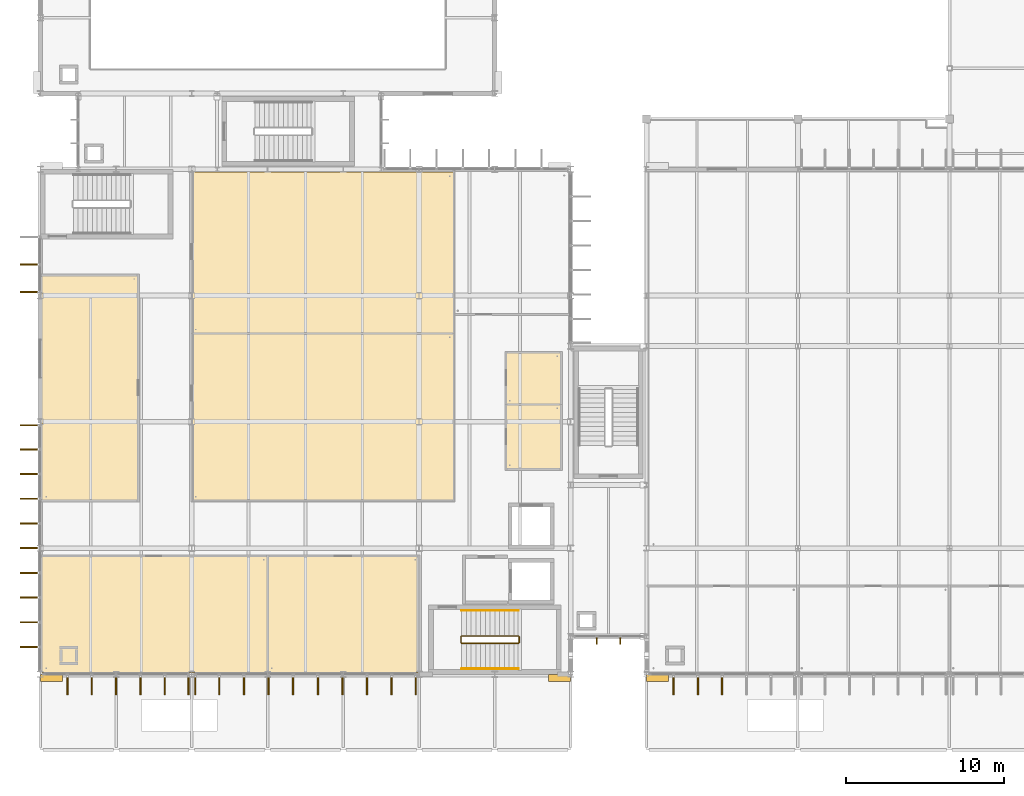
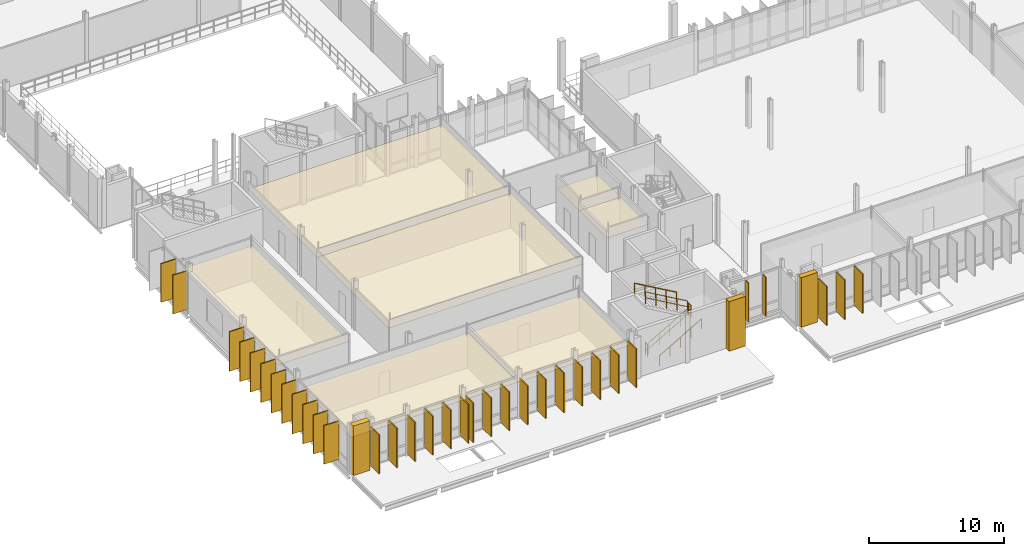
# One storey, part 98 of 107: 41 coverings, 6 railings, 2 shading devices.
"""IFC4 building model written with IfcOpenShell, lengths in metres."""

from ifc_helpers import new_model, si_unit, direction, frame, origin, origin_2d, place, context, subcontext, project, spatial, polyline, rectangle, circle, outline, extrude, material, layer, layer_set, type_object, element, save


model = new_model("IFC4")

# Units and contexts
model_context = context("Model", 3, precision=1e-05, world=origin(), true_north=direction((0.0, 1.0)))
body_context = subcontext(model_context, "Body", "Model", "MODEL_VIEW")
ifc_project = project(units=[si_unit("LENGTHUNIT", "METRE"), si_unit("AREAUNIT", "SQUARE_METRE"), si_unit("VOLUMEUNIT", "CUBIC_METRE"), si_unit("PLANEANGLEUNIT", "RADIAN"), si_unit("MASSUNIT", "GRAM", prefix="KILO")], contexts=[model_context])

# Site, building, storey
site_placement = place(None, origin())
site = spatial("IfcSite", under=ifc_project, at=site_placement, CompositionType="ELEMENT")
building_placement = place(site_placement, origin())
building = spatial("IfcBuilding", under=site, at=building_placement, Name="Dunescarp Central Library", CompositionType="ELEMENT")
storey_placement = place(building_placement, frame((0.0, 0.0, 5.10009765625)))
storey = spatial("IfcBuildingStorey", under=building, at=storey_placement, Name="L01", CompositionType="ELEMENT", Elevation=5.10009765625)

# Coverings
ifc_material_1 = material(Name="Perforated birch acoustic timber baffle", Category="wood")
ifc_layer_1 = layer(ifc_material_1, 0.050048828125)
ifc_layer_set_1 = layer_set([ifc_layer_1], Name="Perforated birch acoustic timber baffle")
covering_type_1 = type_object("IfcCoveringType", Name="ARC-COV-BAFFLE", PredefinedType="CEILING", material=ifc_layer_set_1)
covering_1_placement = place(storey_placement, frame((0.0, 0.0, 3.0498046875)))
element("IfcCovering", 1, at=covering_1_placement, inside=storey, type_object=covering_type_1, Name="L01 ceiling General Lending Reading Salon", PredefinedType="CEILING", context=body_context, shape_type="SweptSolid", body=[
    extrude(outline(polyline([(0.1201171875, 4.919921875), (14.419921875, 4.919921875), (14.419921875, 12.320068359375), (0.1201171875, 12.320068359375), (0.1201171875, 4.919921875)])), origin(), (0.0, 0.0, 1.0), 0.050048828125),
])
ifc_material_2 = material(Name="Mineral-fibre acoustic ceiling tile")
ifc_layer_2 = layer(ifc_material_2, 0.0400390625)
ifc_layer_set_2 = layer_set([ifc_layer_2], Name="Mineral-fibre acoustic ceiling tile")
covering_type_2 = type_object("IfcCoveringType", Name="ARC-COV-CEIL40", PredefinedType="CEILING", material=ifc_layer_set_2)
covering_2_placement = place(storey_placement, frame((0.0, 0.0, 3.0498046875)))
element("IfcCovering", 2, at=covering_2_placement, inside=storey, type_object=covering_type_2, Name="L01 ceiling Public Toilets", PredefinedType="CEILING", context=body_context, shape_type="SweptSolid", body=[
    extrude(outline(polyline([(29.47998046875, 17.780029296875), (33.02001953125, 17.780029296875), (33.02001953125, 21.919921875), (29.47998046875, 21.919921875), (29.47998046875, 17.780029296875)])), origin(), (0.0, 0.0, 1.0), 0.0400390625),
])
covering_3_placement = place(storey_placement, frame((0.0, 0.0, 3.0498046875)))
element("IfcCovering", 3, at=covering_3_placement, inside=storey, type_object=covering_type_2, Name="L01 ceiling Accessible Toilet", PredefinedType="CEILING", context=body_context, shape_type="SweptSolid", body=[
    extrude(outline(polyline([(29.47998046875, 21.8798828125), (33.02001953125, 21.8798828125), (33.02001953125, 25.219970703125), (29.47998046875, 25.219970703125), (29.47998046875, 21.8798828125)])), origin(), (0.0, 0.0, 1.0), 0.0400390625),
])
covering_4_placement = place(storey_placement, frame((0.0, 0.0, 3.0498046875)))
element("IfcCovering", 4, at=covering_4_placement, inside=storey, type_object=covering_type_2, Name="L01 ceiling Bibliographic Consultation Room", PredefinedType="CEILING", context=body_context, shape_type="SweptSolid", body=[
    extrude(outline(polyline([(14.3798828125, 4.919921875), (24.02001953125, 4.919921875), (24.02001953125, 12.320068359375), (14.3798828125, 12.320068359375), (14.3798828125, 4.919921875)])), origin(), (0.0, 0.0, 1.0), 0.0400390625),
])
covering_5_placement = place(storey_placement, frame((0.0, 0.0, 3.0498046875)))
element("IfcCovering", 5, at=covering_5_placement, inside=storey, type_object=covering_type_2, Name="L01 ceiling Fiction & Literature Open Stacks", PredefinedType="CEILING", context=body_context, shape_type="SweptSolid", body=[
    extrude(outline(polyline([(0.1201171875, 15.780029296875), (6.219970703125, 15.780029296875), (6.219970703125, 30.1201171875), (0.1201171875, 30.1201171875), (0.1201171875, 15.780029296875)])), origin(), (0.0, 0.0, 1.0), 0.0400390625),
])
covering_6_placement = place(storey_placement, frame((0.0, 0.0, 3.0498046875)))
element("IfcCovering", 6, at=covering_6_placement, inside=storey, type_object=covering_type_2, Name="L01 ceiling Collaborative Group Study Seminar 1A", PredefinedType="CEILING", context=body_context, shape_type="SweptSolid", body=[
    extrude(outline(polyline([(9.580078125, 15.780029296875), (26.219970703125, 15.780029296875), (26.219970703125, 26.419921875), (9.580078125, 26.419921875), (9.580078125, 15.780029296875)])), origin(), (0.0, 0.0, 1.0), 0.0400390625),
])
covering_7_placement = place(storey_placement, frame((0.0, 0.0, 3.0498046875)))
element("IfcCovering", 7, at=covering_7_placement, inside=storey, type_object=covering_type_2, Name="L01 ceiling Collaborative Group Study Seminar 1B", PredefinedType="CEILING", context=body_context, shape_type="SweptSolid", body=[
    extrude(outline(polyline([(9.580078125, 26.3798828125), (26.219970703125, 26.3798828125), (26.219970703125, 36.6201171875), (9.580078125, 36.6201171875), (9.580078125, 26.3798828125)])), origin(), (0.0, 0.0, 1.0), 0.0400390625),
])
ifc_material_3 = material(Name="Glass-fibre reinforced concrete GRC", Category="concrete")
ifc_layer_3 = layer(ifc_material_3, 0.090087890625)
ifc_layer_set_3 = layer_set([ifc_layer_3], Name="Glass-fibre reinforced concrete GRC")
covering_type_3 = type_object("IfcCoveringType", Name="ARC-COV-FIN1250", PredefinedType="CLADDING", material=ifc_layer_set_3)
covering_8_placement = place(storey_placement, frame((9.385009765625, 4.137939453125, 0.166748046875), z_axis=(0.0, 0.0, 1.0), x_axis=(0.0, -1.0, 0.0)))
element("IfcCovering", 8, at=covering_8_placement, inside=storey, type_object=covering_type_3, Name="L01 parametric vertical facade fin FIN-L01-0034", PredefinedType="CLADDING", context=body_context, shape_type="SweptSolid", body=[
    extrude(rectangle(XDim=1.25, YDim=0.090087890625, at=origin_2d()), origin(), (0.0, 0.0, 1.0), 3.51806640625),
])
covering_9_placement = place(storey_placement, frame((7.883056640625, 4.137939453125, 0.180419921875), z_axis=(0.0, 0.0, 1.0), x_axis=(0.0, -1.0, 0.0)))
element("IfcCovering", 9, at=covering_9_placement, inside=storey, type_object=covering_type_3, Name="L01 parametric vertical facade fin FIN-L01-0035", PredefinedType="CLADDING", context=body_context, shape_type="SweptSolid", body=[
    extrude(rectangle(XDim=1.25, YDim=0.090087890625, at=origin_2d()), origin(), (0.0, 0.0, 1.0), 3.5048828125),
])
covering_10_placement = place(storey_placement, frame((6.342041015625, 4.137939453125, 0.163330078125), z_axis=(0.0, 0.0, 1.0), x_axis=(0.0, -1.0, 0.0)))
element("IfcCovering", 10, at=covering_10_placement, inside=storey, type_object=covering_type_3, Name="L01 parametric vertical facade fin FIN-L01-0036", PredefinedType="CLADDING", context=body_context, shape_type="SweptSolid", body=[
    extrude(rectangle(XDim=1.25, YDim=0.090087890625, at=origin_2d()), origin(), (0.0, 0.0, 1.0), 3.52099609375),
])
covering_11_placement = place(storey_placement, frame((4.800048828125, 4.137939453125, 0.122802734375), z_axis=(0.0, 0.0, 1.0), x_axis=(0.0, -1.0, 0.0)))
element("IfcCovering", 11, at=covering_11_placement, inside=storey, type_object=covering_type_3, Name="L01 parametric vertical facade fin FIN-L01-0037", PredefinedType="CLADDING", context=body_context, shape_type="SweptSolid", body=[
    extrude(rectangle(XDim=1.25, YDim=0.090087890625, at=origin_2d()), origin(), (0.0, 0.0, 1.0), 3.56201171875),
])
covering_12_placement = place(storey_placement, frame((3.258056640625, 4.137939453125, 0.080078125), z_axis=(0.0, 0.0, 1.0), x_axis=(0.0, -1.0, 0.0)))
element("IfcCovering", 12, at=covering_12_placement, inside=storey, type_object=covering_type_3, Name="L01 parametric vertical facade fin FIN-L01-0038", PredefinedType="CLADDING", context=body_context, shape_type="SweptSolid", body=[
    extrude(rectangle(XDim=1.25, YDim=0.090087890625, at=origin_2d()), origin(), (0.0, 0.0, 1.0), 3.593994140625),
])
covering_13_placement = place(storey_placement, frame((1.717041015625, 4.137939453125, 0.079833984375), z_axis=(0.0, 0.0, 1.0), x_axis=(0.0, -1.0, 0.0)))
element("IfcCovering", 13, at=covering_13_placement, inside=storey, type_object=covering_type_3, Name="L01 parametric vertical facade fin FIN-L01-0039", PredefinedType="CLADDING", context=body_context, shape_type="SweptSolid", body=[
    extrude(rectangle(XDim=1.25, YDim=0.090087890625, at=origin_2d()), origin(), (0.0, 0.0, 1.0), 3.5439453125),
])
covering_14_placement = place(storey_placement, frame((23.784912109375, 4.137939453125, 0.166748046875), z_axis=(0.0, 0.0, 1.0), x_axis=(0.0, -1.0, 0.0)))
element("IfcCovering", 14, at=covering_14_placement, inside=storey, type_object=covering_type_3, Name="L01 parametric vertical facade fin FIN-L01-0040", PredefinedType="CLADDING", context=body_context, shape_type="SweptSolid", body=[
    extrude(rectangle(XDim=1.25, YDim=0.090087890625, at=origin_2d()), origin(), (0.0, 0.0, 1.0), 3.51806640625),
])
covering_15_placement = place(storey_placement, frame((22.263916015625, 4.137939453125, 0.180419921875), z_axis=(0.0, 0.0, 1.0), x_axis=(0.0, -1.0, 0.0)))
element("IfcCovering", 15, at=covering_15_placement, inside=storey, type_object=covering_type_3, Name="L01 parametric vertical facade fin FIN-L01-0041", PredefinedType="CLADDING", context=body_context, shape_type="SweptSolid", body=[
    extrude(rectangle(XDim=1.25, YDim=0.090087890625, at=origin_2d()), origin(), (0.0, 0.0, 1.0), 3.5048828125),
])
covering_16_placement = place(storey_placement, frame((20.702880859375, 4.137939453125, 0.163330078125), z_axis=(0.0, 0.0, 1.0), x_axis=(0.0, -1.0, 0.0)))
element("IfcCovering", 16, at=covering_16_placement, inside=storey, type_object=covering_type_3, Name="L01 parametric vertical facade fin FIN-L01-0042", PredefinedType="CLADDING", context=body_context, shape_type="SweptSolid", body=[
    extrude(rectangle(XDim=1.25, YDim=0.090087890625, at=origin_2d()), origin(), (0.0, 0.0, 1.0), 3.52099609375),
])
covering_17_placement = place(storey_placement, frame((19.14208984375, 4.137939453125, 0.122802734375), z_axis=(0.0, 0.0, 1.0), x_axis=(0.0, -1.0, 0.0)))
element("IfcCovering", 17, at=covering_17_placement, inside=storey, type_object=covering_type_3, Name="L01 parametric vertical facade fin FIN-L01-0043", PredefinedType="CLADDING", context=body_context, shape_type="SweptSolid", body=[
    extrude(rectangle(XDim=1.25, YDim=0.090087890625, at=origin_2d()), origin(), (0.0, 0.0, 1.0), 3.56201171875),
])
covering_18_placement = place(storey_placement, frame((17.5810546875, 4.137939453125, 0.080078125), z_axis=(0.0, 0.0, 1.0), x_axis=(0.0, -1.0, 0.0)))
element("IfcCovering", 18, at=covering_18_placement, inside=storey, type_object=covering_type_3, Name="L01 parametric vertical facade fin FIN-L01-0044", PredefinedType="CLADDING", context=body_context, shape_type="SweptSolid", body=[
    extrude(rectangle(XDim=1.25, YDim=0.090087890625, at=origin_2d()), origin(), (0.0, 0.0, 1.0), 3.593994140625),
])
covering_19_placement = place(storey_placement, frame((16.01904296875, 4.137939453125, 0.079833984375), z_axis=(0.0, 0.0, 1.0), x_axis=(0.0, -1.0, 0.0)))
element("IfcCovering", 19, at=covering_19_placement, inside=storey, type_object=covering_type_3, Name="L01 parametric vertical facade fin FIN-L01-0045", PredefinedType="CLADDING", context=body_context, shape_type="SweptSolid", body=[
    extrude(rectangle(XDim=1.25, YDim=0.090087890625, at=origin_2d()), origin(), (0.0, 0.0, 1.0), 3.5439453125),
])
covering_20_placement = place(storey_placement, frame((14.4580078125, 4.137939453125, 0.08056640625), z_axis=(0.0, 0.0, 1.0), x_axis=(0.0, -1.0, 0.0)))
element("IfcCovering", 20, at=covering_20_placement, inside=storey, type_object=covering_type_3, Name="L01 parametric vertical facade fin FIN-L01-0046", PredefinedType="CLADDING", context=body_context, shape_type="SweptSolid", body=[
    extrude(rectangle(XDim=1.25, YDim=0.090087890625, at=origin_2d()), origin(), (0.0, 0.0, 1.0), 3.510986328125),
])
covering_21_placement = place(storey_placement, frame((12.89697265625, 4.137939453125, 0.07958984375), z_axis=(0.0, 0.0, 1.0), x_axis=(0.0, -1.0, 0.0)))
element("IfcCovering", 21, at=covering_21_placement, inside=storey, type_object=covering_type_3, Name="L01 parametric vertical facade fin FIN-L01-0047", PredefinedType="CLADDING", context=body_context, shape_type="SweptSolid", body=[
    extrude(rectangle(XDim=1.25, YDim=0.090087890625, at=origin_2d()), origin(), (0.0, 0.0, 1.0), 3.507080078125),
])
covering_22_placement = place(storey_placement, frame((11.3359375, 4.137939453125, 0.08056640625), z_axis=(0.0, 0.0, 1.0), x_axis=(0.0, -1.0, 0.0)))
element("IfcCovering", 22, at=covering_22_placement, inside=storey, type_object=covering_type_3, Name="L01 parametric vertical facade fin FIN-L01-0048", PredefinedType="CLADDING", context=body_context, shape_type="SweptSolid", body=[
    extrude(rectangle(XDim=1.25, YDim=0.090087890625, at=origin_2d()), origin(), (0.0, 0.0, 1.0), 3.531005859375),
])
covering_23_placement = place(storey_placement, frame((9.81494140625, 4.137939453125, 0.07958984375), z_axis=(0.0, 0.0, 1.0), x_axis=(0.0, -1.0, 0.0)))
element("IfcCovering", 23, at=covering_23_placement, inside=storey, type_object=covering_type_3, Name="L01 parametric vertical facade fin FIN-L01-0049", PredefinedType="CLADDING", context=body_context, shape_type="SweptSolid", body=[
    extrude(rectangle(XDim=1.25, YDim=0.090087890625, at=origin_2d()), origin(), (0.0, 0.0, 1.0), 3.576904296875),
])
covering_24_placement = place(storey_placement, frame((-0.662109375, 6.5400390625, 0.180419921875), z_axis=(0.0, 0.0, 1.0), x_axis=(-1.0, 0.0, 0.0)))
element("IfcCovering", 24, at=covering_24_placement, inside=storey, type_object=covering_type_3, Name="L01 parametric vertical facade fin FIN-L01-0057", PredefinedType="CLADDING", context=body_context, shape_type="SweptSolid", body=[
    extrude(rectangle(XDim=1.25, YDim=0.090087890625, at=origin_2d()), origin(), (0.0, 0.0, 1.0), 3.5048828125),
])
covering_25_placement = place(storey_placement, frame((-0.662109375, 8.10498046875, 0.163330078125), z_axis=(0.0, 0.0, 1.0), x_axis=(-1.0, 0.0, 0.0)))
element("IfcCovering", 25, at=covering_25_placement, inside=storey, type_object=covering_type_3, Name="L01 parametric vertical facade fin FIN-L01-0058", PredefinedType="CLADDING", context=body_context, shape_type="SweptSolid", body=[
    extrude(rectangle(XDim=1.25, YDim=0.090087890625, at=origin_2d()), origin(), (0.0, 0.0, 1.0), 3.52099609375),
])
covering_26_placement = place(storey_placement, frame((-0.662109375, 9.669921875, 0.122802734375), z_axis=(0.0, 0.0, 1.0), x_axis=(-1.0, 0.0, 0.0)))
element("IfcCovering", 26, at=covering_26_placement, inside=storey, type_object=covering_type_3, Name="L01 parametric vertical facade fin FIN-L01-0059", PredefinedType="CLADDING", context=body_context, shape_type="SweptSolid", body=[
    extrude(rectangle(XDim=1.25, YDim=0.090087890625, at=origin_2d()), origin(), (0.0, 0.0, 1.0), 3.56201171875),
])
covering_27_placement = place(storey_placement, frame((-0.662109375, 11.235107421875, 0.080078125), z_axis=(0.0, 0.0, 1.0), x_axis=(-1.0, 0.0, 0.0)))
element("IfcCovering", 27, at=covering_27_placement, inside=storey, type_object=covering_type_3, Name="L01 parametric vertical facade fin FIN-L01-0060", PredefinedType="CLADDING", context=body_context, shape_type="SweptSolid", body=[
    extrude(rectangle(XDim=1.25, YDim=0.090087890625, at=origin_2d()), origin(), (0.0, 0.0, 1.0), 3.593994140625),
])
covering_28_placement = place(storey_placement, frame((-0.662109375, 12.800048828125, 0.079833984375), z_axis=(0.0, 0.0, 1.0), x_axis=(-1.0, 0.0, 0.0)))
element("IfcCovering", 28, at=covering_28_placement, inside=storey, type_object=covering_type_3, Name="L01 parametric vertical facade fin FIN-L01-0061", PredefinedType="CLADDING", context=body_context, shape_type="SweptSolid", body=[
    extrude(rectangle(XDim=1.25, YDim=0.090087890625, at=origin_2d()), origin(), (0.0, 0.0, 1.0), 3.5439453125),
])
covering_29_placement = place(storey_placement, frame((-0.662109375, 14.364990234375, 0.08056640625), z_axis=(0.0, 0.0, 1.0), x_axis=(-1.0, 0.0, 0.0)))
element("IfcCovering", 29, at=covering_29_placement, inside=storey, type_object=covering_type_3, Name="L01 parametric vertical facade fin FIN-L01-0062", PredefinedType="CLADDING", context=body_context, shape_type="SweptSolid", body=[
    extrude(rectangle(XDim=1.25, YDim=0.090087890625, at=origin_2d()), origin(), (0.0, 0.0, 1.0), 3.510986328125),
])
covering_30_placement = place(storey_placement, frame((-0.662109375, 15.929931640625, 0.07958984375), z_axis=(0.0, 0.0, 1.0), x_axis=(-1.0, 0.0, 0.0)))
element("IfcCovering", 30, at=covering_30_placement, inside=storey, type_object=covering_type_3, Name="L01 parametric vertical facade fin FIN-L01-0063", PredefinedType="CLADDING", context=body_context, shape_type="SweptSolid", body=[
    extrude(rectangle(XDim=1.25, YDim=0.090087890625, at=origin_2d()), origin(), (0.0, 0.0, 1.0), 3.507080078125),
])
covering_31_placement = place(storey_placement, frame((-0.662109375, 17.4951171875, 0.08056640625), z_axis=(0.0, 0.0, 1.0), x_axis=(-1.0, 0.0, 0.0)))
element("IfcCovering", 31, at=covering_31_placement, inside=storey, type_object=covering_type_3, Name="L01 parametric vertical facade fin FIN-L01-0064", PredefinedType="CLADDING", context=body_context, shape_type="SweptSolid", body=[
    extrude(rectangle(XDim=1.25, YDim=0.090087890625, at=origin_2d()), origin(), (0.0, 0.0, 1.0), 3.531005859375),
])
covering_32_placement = place(storey_placement, frame((-0.662109375, 19.06005859375, 0.07958984375), z_axis=(0.0, 0.0, 1.0), x_axis=(-1.0, 0.0, 0.0)))
element("IfcCovering", 32, at=covering_32_placement, inside=storey, type_object=covering_type_3, Name="L01 parametric vertical facade fin FIN-L01-0065", PredefinedType="CLADDING", context=body_context, shape_type="SweptSolid", body=[
    extrude(rectangle(XDim=1.25, YDim=0.090087890625, at=origin_2d()), origin(), (0.0, 0.0, 1.0), 3.576904296875),
])
covering_33_placement = place(storey_placement, frame((-0.662109375, 20.5849609375, 0.10546875), z_axis=(0.0, 0.0, 1.0), x_axis=(-1.0, 0.0, 0.0)))
element("IfcCovering", 33, at=covering_33_placement, inside=storey, type_object=covering_type_3, Name="L01 parametric vertical facade fin FIN-L01-0066", PredefinedType="CLADDING", context=body_context, shape_type="SweptSolid", body=[
    extrude(rectangle(XDim=1.25, YDim=0.090087890625, at=origin_2d()), origin(), (0.0, 0.0, 1.0), 3.5791015625),
])
covering_34_placement = place(storey_placement, frame((-0.662109375, 29.014892578125, 0.166748046875), z_axis=(0.0, 0.0, 1.0), x_axis=(-1.0, 0.0, 0.0)))
element("IfcCovering", 34, at=covering_34_placement, inside=storey, type_object=covering_type_3, Name="L01 parametric vertical facade fin FIN-L01-0067", PredefinedType="CLADDING", context=body_context, shape_type="SweptSolid", body=[
    extrude(rectangle(XDim=1.25, YDim=0.090087890625, at=origin_2d()), origin(), (0.0, 0.0, 1.0), 3.51806640625),
])
covering_35_placement = place(storey_placement, frame((-0.662109375, 30.761962890625, 0.180419921875), z_axis=(0.0, 0.0, 1.0), x_axis=(-1.0, 0.0, 0.0)))
element("IfcCovering", 35, at=covering_35_placement, inside=storey, type_object=covering_type_3, Name="L01 parametric vertical facade fin FIN-L01-0068", PredefinedType="CLADDING", context=body_context, shape_type="SweptSolid", body=[
    extrude(rectangle(XDim=1.25, YDim=0.090087890625, at=origin_2d()), origin(), (0.0, 0.0, 1.0), 3.5048828125),
])
covering_36_placement = place(storey_placement, frame((43.199951171875, 4.137939453125, 0.122802734375), z_axis=(0.0, 0.0, 1.0), x_axis=(0.0, -1.0, 0.0)))
element("IfcCovering", 36, at=covering_36_placement, inside=storey, type_object=covering_type_3, Name="L01 parametric vertical facade fin FIN-L01-0341", PredefinedType="CLADDING", context=body_context, shape_type="SweptSolid", body=[
    extrude(rectangle(XDim=1.25, YDim=0.090087890625, at=origin_2d()), origin(), (0.0, 0.0, 1.0), 3.56201171875),
])
covering_37_placement = place(storey_placement, frame((41.657958984375, 4.137939453125, 0.080078125), z_axis=(0.0, 0.0, 1.0), x_axis=(0.0, -1.0, 0.0)))
element("IfcCovering", 37, at=covering_37_placement, inside=storey, type_object=covering_type_3, Name="L01 parametric vertical facade fin FIN-L01-0342", PredefinedType="CLADDING", context=body_context, shape_type="SweptSolid", body=[
    extrude(rectangle(XDim=1.25, YDim=0.090087890625, at=origin_2d()), origin(), (0.0, 0.0, 1.0), 3.593994140625),
])
covering_38_placement = place(storey_placement, frame((40.116943359375, 4.137939453125, 0.079833984375), z_axis=(0.0, 0.0, 1.0), x_axis=(0.0, -1.0, 0.0)))
element("IfcCovering", 38, at=covering_38_placement, inside=storey, type_object=covering_type_3, Name="L01 parametric vertical facade fin FIN-L01-0343", PredefinedType="CLADDING", context=body_context, shape_type="SweptSolid", body=[
    extrude(rectangle(XDim=1.25, YDim=0.090087890625, at=origin_2d()), origin(), (0.0, 0.0, 1.0), 3.5439453125),
])
ifc_layer_4 = layer(ifc_material_3, 0.449951171875)
ifc_layer_set_4 = layer_set([ifc_layer_4], Name="Glass-fibre reinforced concrete GRC")
covering_type_4 = type_object("IfcCoveringType", Name="ARC-COV-PORTAL", PredefinedType="CLADDING", material=ifc_layer_set_4)
for number, where, z_axis, x_axis, name in (
    (39, (39.10009765625, 4.580078125, 0.0), (0.0, 0.0, 1.0), (1.0, 0.0, 0.0), "V2 sculpted GRC portal pier PRT-BAND-V2-005"),
    (40, (0.699951171875, 4.580078125, 0.0), (0.0, 0.0, 1.0), (1.0, 0.0, 0.0), "V1 sculpted GRC portal pier PRT-BAND-V1-085"),
    (41, (32.89990234375, 4.580078125, 0.0), (0.0, 0.0, 1.0), (1.0, 0.0, 0.0), "V1 sculpted GRC portal pier PRT-BAND-V1-087"),
):
    element("IfcCovering", number, at=place(storey_placement, frame(where, z_axis=z_axis, x_axis=x_axis)), inside=storey, type_object=covering_type_4, Name=name, PredefinedType="CLADDING", context=body_context, shape_type="SweptSolid", body=[
        extrude(rectangle(XDim=1.39990234375, YDim=0.449951171875, at=origin_2d()), origin(), (0.0, 0.0, 1.0), 4.5),
    ])

# Railings
ifc_material_4 = material(Name="Stainless steel Grade 316L", Category="steel")
railing_type_1 = type_object("IfcRailingType", Name="ARC-RL-GUARD", PredefinedType="GUARDRAIL", material=ifc_material_4)
railing_1_placement = place(storey_placement, frame((26.699951171875, 6.77001953125, 0.173095703125)))
element("IfcRailing", 42, at=railing_1_placement, inside=storey, type_object=railing_type_1, Name="L01 ST-1 stair guard 1", PredefinedType="GUARDRAIL", context=body_context, shape_type="SweptSolid", body=[
    extrude(circle(Radius=0.02392578125, at=origin_2d()), frame((0.0, 0.0, 1.076171875), z_axis=(0.866193409371, 0.0, 0.499708892819), x_axis=(0.0, 1.0, 0.0)), (0.0, 0.0, 1.0), 4.15625),
    extrude(circle(Radius=0.02392578125, at=origin_2d()), frame((0.0, 0.0, 0.550048828125), z_axis=(0.866193409371, 0.0, 0.499708892819), x_axis=(0.0, 1.0, 0.0)), (0.0, 0.0, 1.0), 4.15625),
    extrude(circle(Radius=0.02099609375, at=origin_2d()), origin(), (0.0, 0.0, 1.0), 1.052001953125),
    extrude(circle(Radius=0.02099609375, at=origin_2d()), frame((0.89990234375, 0.0, 0.519287109375)), (0.0, 0.0, 1.0), 1.052001953125),
    extrude(circle(Radius=0.02099609375, at=origin_2d()), frame((1.800048828125, 0.0, 1.03857421875)), (0.0, 0.0, 1.0), 1.052001953125),
    extrude(circle(Radius=0.02099609375, at=origin_2d()), frame((2.7001953125, 0.0, 1.5576171875)), (0.0, 0.0, 1.0), 1.052001953125),
    extrude(circle(Radius=0.02099609375, at=origin_2d()), frame((3.60009765625, 0.0, 2.076904296875)), (0.0, 0.0, 1.0), 1.052001953125),
])
railing_2_placement = place(storey_placement, frame((30.35009765625, 6.820068359375, 2.25)))
element("IfcRailing", 43, at=railing_2_placement, inside=storey, type_object=railing_type_1, Name="L01 ST-1 stair guard 2", PredefinedType="GUARDRAIL", context=body_context, shape_type="SweptSolid", body=[
    extrude(circle(Radius=0.02392578125, at=origin_2d()), frame((0.0, 0.0, 1.076171875), z_axis=(0.0, 1.0, 0.0), x_axis=(-1.0, 0.0, 0.0)), (0.0, 0.0, 1.0), 0.35986328125),
    extrude(circle(Radius=0.02392578125, at=origin_2d()), frame((0.0, 0.0, 0.550048828125), z_axis=(0.0, 1.0, 0.0), x_axis=(-1.0, 0.0, 0.0)), (0.0, 0.0, 1.0), 0.35986328125),
    extrude(circle(Radius=0.02099609375, at=origin_2d()), origin(), (0.0, 0.0, 1.0), 1.052001953125),
    extrude(circle(Radius=0.02099609375, at=origin_2d()), frame((0.0, 0.35986328125, 0.0)), (0.0, 0.0, 1.0), 1.052001953125),
])
railing_3_placement = place(storey_placement, frame((30.300048828125, 7.22998046875, 2.423095703125)))
element("IfcRailing", 44, at=railing_3_placement, inside=storey, type_object=railing_type_1, Name="L01 ST-1 stair guard 3", PredefinedType="GUARDRAIL", context=body_context, shape_type="SweptSolid", body=[
    extrude(circle(Radius=0.02392578125, at=origin_2d()), frame((0.0, 0.0, 1.076171875), z_axis=(-0.866193409371, 0.0, 0.499708892819), x_axis=(0.0, -1.0, 0.0)), (0.0, 0.0, 1.0), 4.15625),
    extrude(circle(Radius=0.02392578125, at=origin_2d()), frame((0.0, 0.0, 0.550048828125), z_axis=(-0.866193409371, 0.0, 0.499708892819), x_axis=(0.0, -1.0, 0.0)), (0.0, 0.0, 1.0), 4.15625),
    extrude(circle(Radius=0.02099609375, at=origin_2d()), origin(), (0.0, 0.0, 1.0), 1.052001953125),
    extrude(circle(Radius=0.02099609375, at=origin_2d()), frame((-0.89990234375, 0.0, 0.519287109375)), (0.0, 0.0, 1.0), 1.052001953125),
    extrude(circle(Radius=0.02099609375, at=origin_2d()), frame((-1.800048828125, 0.0, 1.03857421875)), (0.0, 0.0, 1.0), 1.052001953125),
    extrude(circle(Radius=0.02099609375, at=origin_2d()), frame((-2.7001953125, 0.0, 1.5576171875)), (0.0, 0.0, 1.0), 1.052001953125),
    extrude(circle(Radius=0.02099609375, at=origin_2d()), frame((-3.60009765625, 0.0, 2.076904296875)), (0.0, 0.0, 1.0), 1.052001953125),
])
railing_4_placement = place(storey_placement, frame((26.64990234375, 6.820068359375, 0.0)))
element("IfcRailing", 45, at=railing_4_placement, inside=storey, type_object=railing_type_1, Name="L01 ST-1 stair guard 4", PredefinedType="GUARDRAIL", context=body_context, shape_type="SweptSolid", body=[
    extrude(circle(Radius=0.02392578125, at=origin_2d()), frame((0.0, 0.0, 1.076171875), z_axis=(0.0, 1.0, 0.0), x_axis=(-1.0, 0.0, 0.0)), (0.0, 0.0, 1.0), 0.35986328125),
    extrude(circle(Radius=0.02392578125, at=origin_2d()), frame((0.0, 0.0, 0.550048828125), z_axis=(0.0, 1.0, 0.0), x_axis=(-1.0, 0.0, 0.0)), (0.0, 0.0, 1.0), 0.35986328125),
    extrude(circle(Radius=0.02099609375, at=origin_2d()), origin(), (0.0, 0.0, 1.0), 1.052001953125),
    extrude(circle(Radius=0.02099609375, at=origin_2d()), frame((0.0, 0.35986328125, 0.0)), (0.0, 0.0, 1.0), 1.052001953125),
])
railing_type_2 = type_object("IfcRailingType", Name="ARC-RL-HAND", PredefinedType="HANDRAIL", material=ifc_material_4)
railing_5_placement = place(storey_placement, frame((26.699951171875, 5.14990234375, 0.173095703125)))
element("IfcRailing", 46, at=railing_5_placement, inside=storey, type_object=railing_type_2, Name="L01 ST-1 stair handrail 1", PredefinedType="HANDRAIL", context=body_context, shape_type="SweptSolid", body=[
    extrude(circle(Radius=0.02392578125, at=origin_2d()), frame((0.0, 0.0, 0.8857421875), z_axis=(0.866193409371, 0.0, 0.499708892819), x_axis=(0.0, 1.0, 0.0)), (0.0, 0.0, 1.0), 4.15625),
    extrude(circle(Radius=0.02099609375, at=origin_2d()), origin(), (0.0, 0.0, 1.0), 0.86181640625),
    extrude(circle(Radius=0.02099609375, at=origin_2d()), frame((0.89990234375, 0.0, 0.519287109375)), (0.0, 0.0, 1.0), 0.86181640625),
    extrude(circle(Radius=0.02099609375, at=origin_2d()), frame((1.800048828125, 0.0, 1.03857421875)), (0.0, 0.0, 1.0), 0.86181640625),
    extrude(circle(Radius=0.02099609375, at=origin_2d()), frame((2.7001953125, 0.0, 1.5576171875)), (0.0, 0.0, 1.0), 0.86181640625),
    extrude(circle(Radius=0.02099609375, at=origin_2d()), frame((3.60009765625, 0.0, 2.076904296875)), (0.0, 0.0, 1.0), 0.86181640625),
])
railing_6_placement = place(storey_placement, frame((30.300048828125, 8.85009765625, 2.423095703125)))
element("IfcRailing", 47, at=railing_6_placement, inside=storey, type_object=railing_type_2, Name="L01 ST-1 stair handrail 2", PredefinedType="HANDRAIL", context=body_context, shape_type="SweptSolid", body=[
    extrude(circle(Radius=0.02392578125, at=origin_2d()), frame((0.0, 0.0, 0.8857421875), z_axis=(-0.866193409371, 0.0, 0.499708892819), x_axis=(0.0, -1.0, 0.0)), (0.0, 0.0, 1.0), 4.15625),
    extrude(circle(Radius=0.02099609375, at=origin_2d()), origin(), (0.0, 0.0, 1.0), 0.86181640625),
    extrude(circle(Radius=0.02099609375, at=origin_2d()), frame((-0.89990234375, 0.0, 0.519287109375)), (0.0, 0.0, 1.0), 0.86181640625),
    extrude(circle(Radius=0.02099609375, at=origin_2d()), frame((-1.800048828125, 0.0, 1.03857421875)), (0.0, 0.0, 1.0), 0.86181640625),
    extrude(circle(Radius=0.02099609375, at=origin_2d()), frame((-2.7001953125, 0.0, 1.5576171875)), (0.0, 0.0, 1.0), 0.86181640625),
    extrude(circle(Radius=0.02099609375, at=origin_2d()), frame((-3.60009765625, 0.0, 2.076904296875)), (0.0, 0.0, 1.0), 0.86181640625),
])

# Shading devices
ifc_material_5 = material(Name="Marine-grade anodised aluminium 6063-T6", Category="aluminium")
ifc_layer_5 = layer(ifc_material_5, 0.06005859375)
ifc_layer_set_5 = layer_set([ifc_layer_5], Name="Marine-grade anodised aluminium 6063-T6")
shading_device_type = type_object("IfcShadingDeviceType", Name="ARC-SHD-FIN", PredefinedType="USERDEFINED", material=ifc_layer_set_5)
for number, where, z_axis, x_axis, name in (
    (48, (36.741943359375, 6.93896484375, 0.14990234375), (0.0, 0.0, 1.0), (0.0, -1.0, 0.0), "L01 link sunshade fin SHDF-L01-1087"),
    (49, (35.258056640625, 6.93896484375, 0.14990234375), (0.0, 0.0, 1.0), (0.0, -1.0, 0.0), "L01 link sunshade fin SHDF-L01-1088"),
):
    element("IfcShadingDevice", number, at=place(storey_placement, frame(where, z_axis=z_axis, x_axis=x_axis)), inside=storey, type_object=shading_device_type, Name=name, ObjectType="FIN", PredefinedType="USERDEFINED", context=body_context, shape_type="SweptSolid", body=[
        extrude(rectangle(XDim=0.449951171875, YDim=0.06005859375, at=origin_2d()), origin(), (0.0, 0.0, 1.0), 3.552001953125),
    ])

save(model, "model.ifc")
